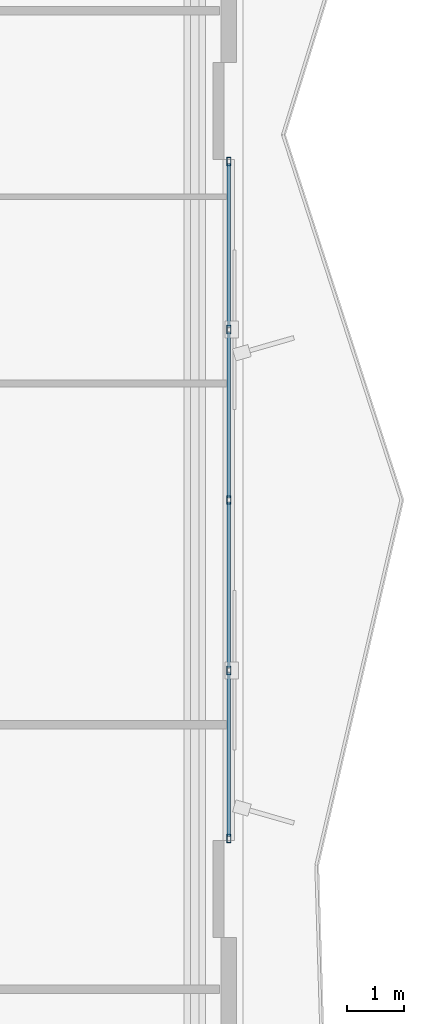
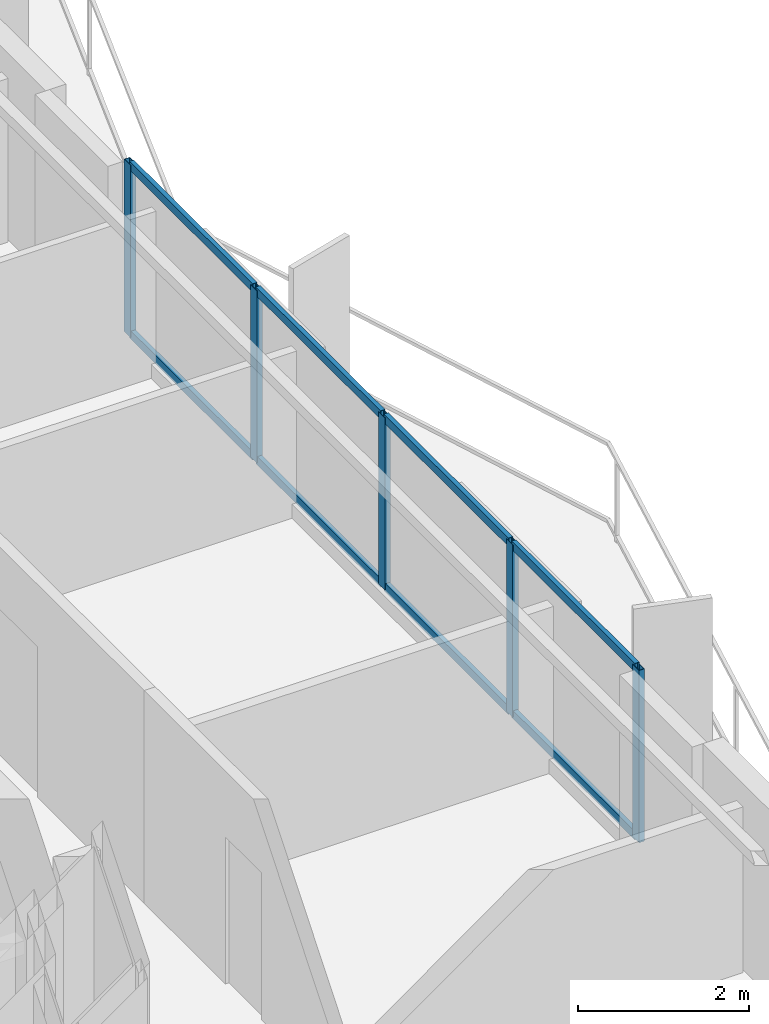
# One storey, part 6 of 19: 13 members, 1 element without a shape of its own.
"""IFC4 building model written with IfcOpenShell, lengths in metres."""

from ifc_helpers import new_model, si_unit, direction, frame, origin, origin_2d, place, context, subcontext, project, spatial, hollow_rectangle, extrude, material, layer, layer_set, material_profile, profile_set, type_object, element, aggregate, save


model = new_model("IFC4")

# Units and contexts
model_context = context("Model", 3, precision=1e-05, world=origin(), true_north=direction((0.0, 1.0)))
body_context = subcontext(model_context, "Body", "Model", "MODEL_VIEW")
ifc_project = project(units=[si_unit("LENGTHUNIT", "METRE"), si_unit("AREAUNIT", "SQUARE_METRE"), si_unit("VOLUMEUNIT", "CUBIC_METRE"), si_unit("PLANEANGLEUNIT", "RADIAN"), si_unit("MASSUNIT", "GRAM", prefix="KILO")], contexts=[model_context])

# Site, building, storey
site_placement = place(None, origin())
site = spatial("IfcSite", under=ifc_project, at=site_placement, CompositionType="ELEMENT")
building_placement = place(site_placement, origin())
building = spatial("IfcBuilding", under=site, at=building_placement, Name="Mersakhor Tower and Convention Hall", CompositionType="ELEMENT")
storey_placement = place(building_placement, frame((0.0, 0.0, 48.89990234375)))
storey = spatial("IfcBuildingStorey", under=building, at=storey_placement, Name="L13", CompositionType="ELEMENT", Elevation=48.89990234375)

# Curtain wall, members
ifc_material_1 = material(Name="Dark solar low-E aluminium curtain wall", Category="aluminium")
ifc_layer = layer(ifc_material_1, 0.159912109375)
ifc_layer_set = layer_set([ifc_layer], Name="Dark solar low-E aluminium curtain wall")
curtain_wall_type = type_object("IfcCurtainWallType", Name="CW-SYS-01", PredefinedType="USERDEFINED", material=ifc_layer_set)
curtain_wall_placement = place(storey_placement, origin())
curtain_wall = element("IfcCurtainWall", 1, at=curtain_wall_placement, inside=storey, type_object=curtain_wall_type, Name="L13 Dark-Glass Curtain Wall F2-B2", ObjectType="CURTAIN WALL", PredefinedType="USERDEFINED")
ifc_material_2 = material(Name="Anodised aluminium EN AW-6063 T6", Category="aluminium")
ifc_material_profile_1 = material_profile(ifc_material_2, hollow_rectangle(XDim=0.074951171875, YDim=0.14990234375, WallThickness=0.00634765625, at=origin_2d()), Name="RHS 150x75x6.3")
ifc_profile_set_1 = profile_set([ifc_material_profile_1], Name="Anodised aluminium EN AW-6063 T6")
member_type_1 = type_object("IfcMemberType", Name="CWM-150x75", PredefinedType="MULLION", material=ifc_profile_set_1)
member_1_placement = place(storey_placement, frame((43.85009765625, 32.69921875, 0.2001953125), z_axis=(0.0, 0.0, 1.0), x_axis=(1.0, 0.0, 0.0)))
member_1 = element("IfcMember", 2, at=member_1_placement, type_object=member_type_1, Name="CW-01 mullion 1", PredefinedType="MULLION", context=body_context, shape_type="SweptSolid", body=[
    extrude(hollow_rectangle(XDim=0.074951171875, YDim=0.14990234375, WallThickness=0.00634765625, at=origin_2d()), origin(), (0.0, 0.0, 1.0), 2.4599609375),
])
member_2_placement = place(storey_placement, frame((43.85009765625, 29.743408203125, 0.2001953125), z_axis=(0.0, 0.0, 1.0), x_axis=(1.0, 0.0, 0.0)))
member_2 = element("IfcMember", 3, at=member_2_placement, type_object=member_type_1, Name="CW-01 mullion 2", PredefinedType="MULLION", context=body_context, shape_type="SweptSolid", body=[
    extrude(hollow_rectangle(XDim=0.074951171875, YDim=0.14990234375, WallThickness=0.00634765625, at=origin_2d()), origin(), (0.0, 0.0, 1.0), 2.4599609375),
])
member_3_placement = place(storey_placement, frame((43.85009765625, 26.75, 0.2001953125), z_axis=(0.0, 0.0, 1.0), x_axis=(1.0, 0.0, 0.0)))
member_3 = element("IfcMember", 4, at=member_3_placement, type_object=member_type_1, Name="CW-01 mullion 3", PredefinedType="MULLION", context=body_context, shape_type="SweptSolid", body=[
    extrude(hollow_rectangle(XDim=0.074951171875, YDim=0.14990234375, WallThickness=0.00634765625, at=origin_2d()), origin(), (0.0, 0.0, 1.0), 2.4599609375),
])
member_4_placement = place(storey_placement, frame((43.85009765625, 23.756591796875, 0.2001953125), z_axis=(0.0, 0.0, 1.0), x_axis=(1.0, 0.0, 0.0)))
member_4 = element("IfcMember", 5, at=member_4_placement, type_object=member_type_1, Name="CW-01 mullion 4", PredefinedType="MULLION", context=body_context, shape_type="SweptSolid", body=[
    extrude(hollow_rectangle(XDim=0.074951171875, YDim=0.14990234375, WallThickness=0.00634765625, at=origin_2d()), origin(), (0.0, 0.0, 1.0), 2.4599609375),
])
member_5_placement = place(storey_placement, frame((43.85009765625, 20.80078125, 0.2001953125), z_axis=(0.0, 0.0, 1.0), x_axis=(1.0, 0.0, 0.0)))
member_5 = element("IfcMember", 6, at=member_5_placement, type_object=member_type_1, Name="CW-01 mullion 5", PredefinedType="MULLION", context=body_context, shape_type="SweptSolid", body=[
    extrude(hollow_rectangle(XDim=0.074951171875, YDim=0.14990234375, WallThickness=0.00634765625, at=origin_2d()), origin(), (0.0, 0.0, 1.0), 2.4599609375),
])
ifc_material_3 = material(Name="Anodised aluminium EN AW-6063 T6", Category="aluminium")
ifc_material_profile_2 = material_profile(ifc_material_3, hollow_rectangle(XDim=0.06005859375, YDim=0.1201171875, WallThickness=0.0048828125, at=origin_2d()), Name="RHS 120x60x5")
ifc_profile_set_2 = profile_set([ifc_material_profile_2], Name="Anodised aluminium EN AW-6063 T6")
member_type_2 = type_object("IfcMemberType", Name="CWT-120x60", PredefinedType="USERDEFINED", material=ifc_profile_set_2)
member_6_placement = place(storey_placement, frame((43.85009765625, 32.66162109375, 0.22998046875), z_axis=(0.0, -1.0, 0.0), x_axis=(1.0, 0.0, 0.0)))
member_6 = element("IfcMember", 7, at=member_6_placement, type_object=member_type_2, Name="CW-01 transom 1.1", ObjectType="TRANSOM", PredefinedType="USERDEFINED", context=body_context, shape_type="SweptSolid", body=[
    extrude(hollow_rectangle(XDim=0.06005859375, YDim=0.1201171875, WallThickness=0.0048828125, at=origin_2d()), origin(), (0.0, 0.0, 1.0), 2.880859375),
])
member_7_placement = place(storey_placement, frame((43.85009765625, 32.66162109375, 2.630126953125), z_axis=(0.0, -1.0, 0.0), x_axis=(1.0, 0.0, 0.0)))
member_7 = element("IfcMember", 8, at=member_7_placement, type_object=member_type_2, Name="CW-01 transom 1.2", ObjectType="TRANSOM", PredefinedType="USERDEFINED", context=body_context, shape_type="SweptSolid", body=[
    extrude(hollow_rectangle(XDim=0.06005859375, YDim=0.1201171875, WallThickness=0.0048828125, at=origin_2d()), origin(), (0.0, 0.0, 1.0), 2.880859375),
])
member_8_placement = place(storey_placement, frame((43.85009765625, 29.705810546875, 0.22998046875), z_axis=(0.0, -1.0, 0.0), x_axis=(1.0, 0.0, 0.0)))
member_8 = element("IfcMember", 9, at=member_8_placement, type_object=member_type_2, Name="CW-01 transom 2.1", ObjectType="TRANSOM", PredefinedType="USERDEFINED", context=body_context, shape_type="SweptSolid", body=[
    extrude(hollow_rectangle(XDim=0.06005859375, YDim=0.1201171875, WallThickness=0.0048828125, at=origin_2d()), origin(), (0.0, 0.0, 1.0), 2.918212890625),
])
member_9_placement = place(storey_placement, frame((43.85009765625, 29.705810546875, 2.630126953125), z_axis=(0.0, -1.0, 0.0), x_axis=(1.0, 0.0, 0.0)))
member_9 = element("IfcMember", 10, at=member_9_placement, type_object=member_type_2, Name="CW-01 transom 2.2", ObjectType="TRANSOM", PredefinedType="USERDEFINED", context=body_context, shape_type="SweptSolid", body=[
    extrude(hollow_rectangle(XDim=0.06005859375, YDim=0.1201171875, WallThickness=0.0048828125, at=origin_2d()), origin(), (0.0, 0.0, 1.0), 2.918212890625),
])
member_10_placement = place(storey_placement, frame((43.85009765625, 26.71240234375, 0.22998046875), z_axis=(0.0, -1.0, 0.0), x_axis=(1.0, 0.0, 0.0)))
member_10 = element("IfcMember", 11, at=member_10_placement, type_object=member_type_2, Name="CW-01 transom 3.1", ObjectType="TRANSOM", PredefinedType="USERDEFINED", context=body_context, shape_type="SweptSolid", body=[
    extrude(hollow_rectangle(XDim=0.06005859375, YDim=0.1201171875, WallThickness=0.0048828125, at=origin_2d()), origin(), (0.0, 0.0, 1.0), 2.918212890625),
])
member_11_placement = place(storey_placement, frame((43.85009765625, 26.71240234375, 2.630126953125), z_axis=(0.0, -1.0, 0.0), x_axis=(1.0, 0.0, 0.0)))
member_11 = element("IfcMember", 12, at=member_11_placement, type_object=member_type_2, Name="CW-01 transom 3.2", ObjectType="TRANSOM", PredefinedType="USERDEFINED", context=body_context, shape_type="SweptSolid", body=[
    extrude(hollow_rectangle(XDim=0.06005859375, YDim=0.1201171875, WallThickness=0.0048828125, at=origin_2d()), origin(), (0.0, 0.0, 1.0), 2.918212890625),
])
member_12_placement = place(storey_placement, frame((43.85009765625, 23.71923828125, 0.22998046875), z_axis=(0.0, -1.0, 0.0), x_axis=(1.0, 0.0, 0.0)))
member_12 = element("IfcMember", 13, at=member_12_placement, type_object=member_type_2, Name="CW-01 transom 4.1", ObjectType="TRANSOM", PredefinedType="USERDEFINED", context=body_context, shape_type="SweptSolid", body=[
    extrude(hollow_rectangle(XDim=0.06005859375, YDim=0.1201171875, WallThickness=0.0048828125, at=origin_2d()), origin(), (0.0, 0.0, 1.0), 2.880859375),
])
member_13_placement = place(storey_placement, frame((43.85009765625, 23.71923828125, 2.630126953125), z_axis=(0.0, -1.0, 0.0), x_axis=(1.0, 0.0, 0.0)))
member_13 = element("IfcMember", 14, at=member_13_placement, type_object=member_type_2, Name="CW-01 transom 4.2", ObjectType="TRANSOM", PredefinedType="USERDEFINED", context=body_context, shape_type="SweptSolid", body=[
    extrude(hollow_rectangle(XDim=0.06005859375, YDim=0.1201171875, WallThickness=0.0048828125, at=origin_2d()), origin(), (0.0, 0.0, 1.0), 2.880859375),
])
aggregate(curtain_wall, [member_1, member_2, member_3, member_4, member_5, member_6, member_7, member_8, member_9, member_10, member_11, member_12, member_13])

save(model, "model.ifc")
